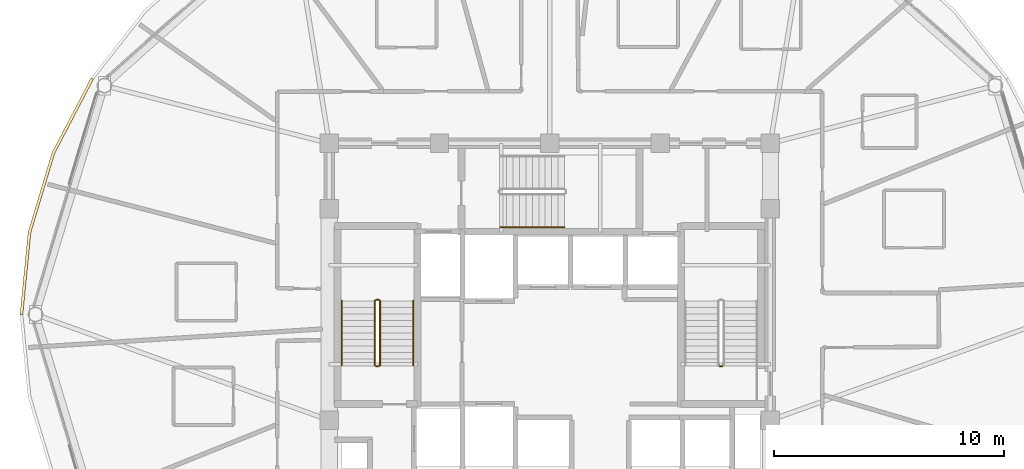
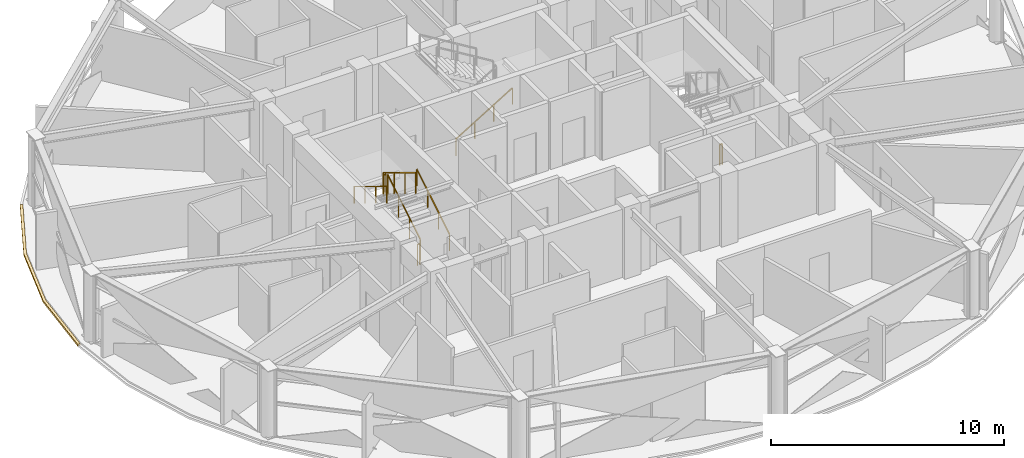
# One storey, part 28 of 30: 8 railings, 1 covering.
"""IFC4 building model written with IfcOpenShell, lengths in metres."""

import ifcopenshell
import ifcopenshell.guid

model = None  # the IFC model being written
_history = None  # IfcOwnerHistory: only IFC2X3 demands one
_inside = {}  # id of a spatial element -> (the spatial element, [elements in it])
_under = {}  # id of a project, library or spatial element -> (it, [spatial elements below it])
_declared = {}  # id of a project -> (the project, [libraries it declares])
_typed = {}  # id of a type object -> (the type object, [elements of that type])
_made_of = {}  # id of a material, layer set ... -> (it, [elements and type objects made of it])


def new_model(schema):
    """Start an empty IFC model of exactly this schema.

    Asked for "IFC4X3", IfcOpenShell would pick the latest addendum, in which some entities
    have other attributes; the version numbers below select the first issue.
    IFC2X3 requires an IfcOwnerHistory on every rooted entity: one is made here for all.
    """
    global model, _history
    if schema == "IFC4X3":
        model = ifcopenshell.file(schema_version=(4, 3, 0, 0))
    else:
        model = ifcopenshell.file(schema=schema)
    _inside.clear()
    _under.clear()
    _declared.clear()
    _typed.clear()
    _made_of.clear()
    _history = None
    if model.schema == "IFC2X3":
        org = make("IfcOrganization", Name="unknown")
        user = make(
            "IfcPersonAndOrganization",
            ThePerson=make("IfcPerson", FamilyName="unknown"),
            TheOrganization=org,
        )
        app = make(
            "IfcApplication",
            ApplicationDeveloper=org,
            Version="unknown",
            ApplicationFullName="unknown",
            ApplicationIdentifier="unknown",
        )
        _history = make(
            "IfcOwnerHistory",
            OwningUser=user,
            OwningApplication=app,
            ChangeAction="ADDED",
            CreationDate=0,
        )
    return model


def make(cls, **values):
    """One entity of the class cls with the attributes given. An attribute that is None is left unset."""
    return model.create_entity(
        cls, **{name: value for name, value in values.items() if value is not None}
    )


def rooted(cls, **values):
    """An entity with a GlobalId (a new one), such as an element, a storey or a relation."""
    return make(cls, GlobalId=ifcopenshell.guid.new(), OwnerHistory=_history, **values)


def si_unit(unit_type, name, prefix=None):
    """IfcSIUnit, for example si_unit("LENGTHUNIT", "METRE", prefix="MILLI")."""
    return make("IfcSIUnit", UnitType=unit_type, Prefix=prefix, Name=name)


def assignment(units):
    """IfcUnitAssignment: the units of a project."""
    return None if units is None else make("IfcUnitAssignment", Units=units)


def point(xyz):
    """IfcCartesianPoint."""
    return None if xyz is None else make("IfcCartesianPoint", Coordinates=xyz)


def direction(xyz):
    """IfcDirection."""
    return None if xyz is None else make("IfcDirection", DirectionRatios=xyz)


def frame(location, z_axis=None, x_axis=None):
    """IfcAxis2Placement3D, a coordinate frame: its origin and axes. An axis left out is left unset."""
    return make(
        "IfcAxis2Placement3D",
        Location=point(location),
        Axis=direction(z_axis),
        RefDirection=direction(x_axis),
    )


def frame_2d(location, x_axis=None):
    """IfcAxis2Placement2D, a coordinate frame in the plane: its origin and x axis."""
    return make(
        "IfcAxis2Placement2D", Location=point(location), RefDirection=direction(x_axis)
    )


def origin():
    """The frame at (0, 0, 0) with its axes left unset."""
    return frame((0.0, 0.0, 0.0))


def origin_2d():
    """The frame at (0, 0) in the plane with its x axis left unset."""
    return frame_2d((0.0, 0.0))


def place(relative_to, where):
    """IfcLocalPlacement: puts the frame where relative to a parent placement (None: the world)."""
    return make(
        "IfcLocalPlacement", PlacementRelTo=relative_to, RelativePlacement=where
    )


def context(
    kind, dimensions, precision=None, world=None, true_north=None, identifier=None
):
    """IfcGeometricRepresentationContext, for example the 3D "Model" context."""
    return make(
        "IfcGeometricRepresentationContext",
        ContextIdentifier=identifier,
        ContextType=kind,
        CoordinateSpaceDimension=dimensions,
        Precision=precision,
        WorldCoordinateSystem=world,
        TrueNorth=true_north,
    )


def subcontext(parent, identifier, kind, view, scale=None):
    """IfcGeometricRepresentationSubContext, for example "Body" below "Model"."""
    return make(
        "IfcGeometricRepresentationSubContext",
        ContextIdentifier=identifier,
        ContextType=kind,
        ParentContext=parent,
        TargetScale=scale,
        TargetView=view,
    )


def project(units=None, contexts=None):
    """IfcProject with its units and contexts."""
    return rooted(
        "IfcProject",
        Name="project",
        RepresentationContexts=contexts,
        UnitsInContext=assignment(units),
    )


def spatial(cls, under=None, at=None, **own):
    """A site, building, storey or space (cls), placed at a placement, below another one or the project."""
    s = rooted(cls, ObjectPlacement=at, **own)
    if under is not None:
        _under.setdefault(under.id(), (under, []))[1].append(s)
    return s


def polyline(points):
    """IfcPolyline through the points."""
    return make("IfcPolyline", Points=[point(p) for p in points])


def profile(cls, at=None, kind="AREA", **sizes):
    """A parametric profile (cls). Its sizes go by their IFC names, for example OverallWidth=200.0."""
    return make(cls, ProfileType=kind, Position=at, **sizes)


def rectangle(**sizes):
    """IfcRectangleProfileDef."""
    return profile("IfcRectangleProfileDef", **sizes)


def outline(outer, holes=None, kind="AREA"):
    """IfcArbitraryClosedProfileDef: a profile drawn as a closed curve; with holes, ...WithVoids."""
    if holes is None:
        return make("IfcArbitraryClosedProfileDef", ProfileType=kind, OuterCurve=outer)
    return make(
        "IfcArbitraryProfileDefWithVoids",
        ProfileType=kind,
        OuterCurve=outer,
        InnerCurves=holes,
    )


def extrude(swept, where, along, depth):
    """IfcExtrudedAreaSolid: the profile swept, set in the frame where, extruded along a direction by depth."""
    return make(
        "IfcExtrudedAreaSolid",
        SweptArea=swept,
        Position=where,
        ExtrudedDirection=direction(along),
        Depth=depth,
    )


def shape(context_of_items, identifier, shape_type, items):
    """IfcShapeRepresentation: the items that make up one representation, for example the "Body"."""
    return make(
        "IfcShapeRepresentation",
        ContextOfItems=context_of_items,
        RepresentationIdentifier=identifier,
        RepresentationType=shape_type,
        Items=items,
    )


def material(Name=None, Category=None):
    """IfcMaterial."""
    return make("IfcMaterial", Name=Name, Category=Category)


def layer(
    of_material, thickness, ventilated=None, Name=None, Category=None, Priority=None
):
    """IfcMaterialLayer: one layer of a wall or slab, of a material (None: an air gap)."""
    return make(
        "IfcMaterialLayer",
        Material=of_material,
        LayerThickness=thickness,
        IsVentilated=ventilated,
        Name=Name,
        Category=Category,
        Priority=Priority,
    )


def layer_set(layers, Name=None):
    """IfcMaterialLayerSet."""
    return make("IfcMaterialLayerSet", MaterialLayers=layers, LayerSetName=Name)


def made_of(thing, what):
    """Note that an element or type object is made of a material, layer set ...; save() writes the relation."""
    if what is not None:
        _made_of.setdefault(what.id(), (what, []))[1].append(thing)
    return thing


def type_object(cls, material=None, **own):
    """A type object (cls), such as IfcWallType, which elements share."""
    return made_of(rooted(cls, **own), material)


def element(
    cls,
    number,
    at=None,
    inside=None,
    cuts=None,
    type_object=None,
    material=None,
    context=None,
    identifier="Body",
    shape_type=None,
    held_by="IfcProductDefinitionShape",
    body=None,
    shapes=None,
    **own,
):
    """One element of the class cls, such as IfcWall. Its Tag is "e" and its number.

    at: its placement. inside: the storey or other place that contains it. cuts: it is an
    opening in that element (IfcRelVoidsElement). A single representation is given by context,
    identifier, shape_type and body (its items); several are given by shapes. held_by: the class
    of the entity that holds the representations. save() writes the other relations.
    """
    e = rooted(cls, Tag="e%d" % number, ObjectPlacement=at, **own)
    if body is not None:
        shapes = [shape(context, identifier, shape_type, body)]
    if shapes is not None:
        e.Representation = make(held_by, Representations=shapes)
    if inside is not None:
        _inside.setdefault(inside.id(), (inside, []))[1].append(e)
    if cuts is not None:
        rooted(
            "IfcRelVoidsElement", RelatingBuildingElement=cuts, RelatedOpeningElement=e
        )
    if type_object is not None:
        _typed.setdefault(type_object.id(), (type_object, []))[1].append(e)
    return made_of(e, material)


def aggregate(whole, parts):
    """IfcRelAggregates: a whole, such as a stair, and the parts it consists of."""
    return rooted("IfcRelAggregates", RelatingObject=whole, RelatedObjects=parts)


def save(model, path):
    """Write the relations noted so far, then the file.

    IfcRelAggregates (storeys below a building ...), IfcRelContainedInSpatialStructure (elements
    in a storey), IfcRelDefinesByType, IfcRelAssociatesMaterial and IfcRelDeclares: one each for
    every whole, place, type object, material and project.
    """
    for whole, parts in _under.values():
        aggregate(whole, parts)
    for where, things in _inside.values():
        rooted(
            "IfcRelContainedInSpatialStructure",
            RelatedElements=things,
            RelatingStructure=where,
        )
    for kind, things in _typed.values():
        rooted("IfcRelDefinesByType", RelatedObjects=things, RelatingType=kind)
    for what, things in _made_of.values():
        rooted("IfcRelAssociatesMaterial", RelatedObjects=things, RelatingMaterial=what)
    for by, libraries in _declared.values():
        rooted("IfcRelDeclares", RelatingContext=by, RelatedDefinitions=libraries)
    model.write(path)


model = new_model("IFC4")

# Units and contexts
model_context = context("Model", 3, precision=1e-05, world=origin(), true_north=direction((0.0, 1.0)))
body_context = subcontext(model_context, "Body", "Model", "MODEL_VIEW")
ifc_project = project(units=[si_unit("LENGTHUNIT", "METRE"), si_unit("AREAUNIT", "SQUARE_METRE"), si_unit("VOLUMEUNIT", "CUBIC_METRE"), si_unit("PLANEANGLEUNIT", "RADIAN"), si_unit("MASSUNIT", "GRAM", prefix="KILO")], contexts=[model_context])

# Site, building, storey
site_placement = place(None, origin())
site = spatial("IfcSite", under=ifc_project, at=site_placement, CompositionType="ELEMENT")
building_placement = place(site_placement, origin())
building = spatial("IfcBuilding", under=site, at=building_placement, Name="Vantalir Tower", CompositionType="ELEMENT")
storey_placement = place(building_placement, frame((0.0, 0.0, 201.14990234375)))
storey = spatial("IfcBuildingStorey", under=building, at=storey_placement, Name="L50", CompositionType="ELEMENT", Elevation=201.14990234375)

# Covering
ifc_material_1 = material(Name="Anodised champagne aluminium sill fascia", Category="aluminium")
ifc_layer = layer(ifc_material_1, 0.125)
ifc_layer_set = layer_set([ifc_layer], Name="Anodised champagne aluminium sill fascia")
covering_type = type_object("IfcCoveringType", Name="COV-SLAB-FASCIA-125", PredefinedType="CLADDING", material=ifc_layer_set)
covering_placement = place(storey_placement, frame((0.0, 0.0, -0.179931640625)))
element("IfcCovering", 1, at=covering_placement, inside=storey, type_object=covering_type, Name="L50 Perimeter Slab-Edge Sill Fascia 06", PredefinedType="CLADDING", context=body_context, shape_type="SweptSolid", body=[
    extrude(outline(polyline([(11.531982421875, 35.300048828125), (9.833984375, 32.0458984375), (8.79296875, 28.576904296875), (8.443115234375, 25.0), (8.568115234375, 25.0), (8.916015625, 28.554931640625), (9.950927734375, 32.0029296875), (11.639892578125, 35.237060546875), (11.531982421875, 35.300048828125)])), origin(), (0.0, 0.0, 1.0), 0.10498046875),
])

# Railings
ifc_material_2 = material(Name="Anodised aluminium and stainless steel guard", Category="steel")
railing_type_1 = type_object("IfcRailingType", Name="RAL-GUARD-1120", PredefinedType="GUARDRAIL", material=ifc_material_2)
railing_1_placement = place(storey_placement, frame((24.110107421875, 22.7900390625, 0.170654296875)))
element("IfcRailing", 2, at=railing_1_placement, inside=storey, type_object=railing_type_1, Name="L50 ST1 stair guard 1", PredefinedType="GUARDRAIL", context=body_context, shape_type="SweptSolid", body=[
    extrude(rectangle(XDim=0.048095703125, YDim=0.048095703125, at=origin_2d()), frame((0.0, 0.0, 1.09619140625), z_axis=(0.0, 0.854202870247, 0.519939858505), x_axis=(-1.0, 0.0, 0.0)), (0.0, 0.0, 1.0), 3.278076171875),
    extrude(rectangle(XDim=0.0419921875, YDim=0.0419921875, at=origin_2d()), origin(), (0.0, 0.0, 1.0), 1.072021484375),
    extrude(rectangle(XDim=0.0419921875, YDim=0.0419921875, at=origin_2d()), frame((0.0, 0.933349609375, 0.568115234375)), (0.0, 0.0, 1.0), 1.072021484375),
    extrude(rectangle(XDim=0.0419921875, YDim=0.0419921875, at=origin_2d()), frame((0.0, 1.86669921875, 1.13623046875)), (0.0, 0.0, 1.0), 1.072021484375),
    extrude(rectangle(XDim=0.0419921875, YDim=0.0419921875, at=origin_2d()), frame((0.0, 2.800048828125, 1.704345703125)), (0.0, 0.0, 1.0), 1.072021484375),
])
railing_2_placement = place(storey_placement, frame((24.06005859375, 25.639892578125, 1.875)))
element("IfcRailing", 3, at=railing_2_placement, inside=storey, type_object=railing_type_1, Name="L50 ST1 stair guard 2", PredefinedType="GUARDRAIL", context=body_context, shape_type="SweptSolid", body=[
    extrude(rectangle(XDim=0.048095703125, YDim=0.048095703125, at=origin_2d()), frame((0.0, 0.0, 1.09619140625), z_axis=(-1.0, 0.0, 0.0), x_axis=(0.0, -1.0, 0.0)), (0.0, 0.0, 1.0), 0.1201171875),
    extrude(rectangle(XDim=0.0419921875, YDim=0.0419921875, at=origin_2d()), origin(), (0.0, 0.0, 1.0), 1.072021484375),
    extrude(rectangle(XDim=0.0419921875, YDim=0.0419921875, at=origin_2d()), frame((-0.1201171875, 0.0, 0.0)), (0.0, 0.0, 1.0), 1.072021484375),
])
railing_3_placement = place(storey_placement, frame((23.889892578125, 25.590087890625, 2.045654296875)))
element("IfcRailing", 4, at=railing_3_placement, inside=storey, type_object=railing_type_1, Name="L50 ST1 stair guard 3", PredefinedType="GUARDRAIL", context=body_context, shape_type="SweptSolid", body=[
    extrude(rectangle(XDim=0.048095703125, YDim=0.048095703125, at=origin_2d()), frame((0.0, 0.0, 1.09619140625), z_axis=(0.0, -0.854202870247, 0.519939858505), x_axis=(1.0, 0.0, 0.0)), (0.0, 0.0, 1.0), 3.278076171875),
    extrude(rectangle(XDim=0.0419921875, YDim=0.0419921875, at=origin_2d()), origin(), (0.0, 0.0, 1.0), 1.072021484375),
    extrude(rectangle(XDim=0.0419921875, YDim=0.0419921875, at=origin_2d()), frame((0.0, -0.933349609375, 0.568115234375)), (0.0, 0.0, 1.0), 1.072021484375),
    extrude(rectangle(XDim=0.0419921875, YDim=0.0419921875, at=origin_2d()), frame((0.0, -1.86669921875, 1.13623046875)), (0.0, 0.0, 1.0), 1.072021484375),
    extrude(rectangle(XDim=0.0419921875, YDim=0.0419921875, at=origin_2d()), frame((0.0, -2.800048828125, 1.704345703125)), (0.0, 0.0, 1.0), 1.072021484375),
])
for number, where, name in (
    (5, (24.06005859375, 22.739990234375, 0.0), "L50 ST1 stair guard 4"),
    (6, (39.010009765625, 22.739990234375, 0.0), "L50 ST2 stair guard 4"),
):
    element("IfcRailing", number, at=place(storey_placement, frame(where)), inside=storey, type_object=railing_type_1, Name=name, PredefinedType="GUARDRAIL", context=body_context, shape_type="SweptSolid", body=[
        extrude(rectangle(XDim=0.048095703125, YDim=0.048095703125, at=origin_2d()), frame((0.0, 0.0, 1.09619140625), z_axis=(-1.0, 0.0, 0.0), x_axis=(0.0, -1.0, 0.0)), (0.0, 0.0, 1.0), 0.1201171875),
        extrude(rectangle(XDim=0.0419921875, YDim=0.0419921875, at=origin_2d()), origin(), (0.0, 0.0, 1.0), 1.072021484375),
        extrude(rectangle(XDim=0.0419921875, YDim=0.0419921875, at=origin_2d()), frame((-0.1201171875, 0.0, 0.0)), (0.0, 0.0, 1.0), 1.072021484375),
    ])
ifc_material_3 = material(Name="Brushed stainless steel tubular handrail", Category="steel")
railing_type_2 = type_object("IfcRailingType", Name="RAL-HANDRAIL-900", PredefinedType="HANDRAIL", material=ifc_material_3)
railing_4_placement = place(storey_placement, frame((25.550048828125, 22.7900390625, 0.170654296875)))
element("IfcRailing", 7, at=railing_4_placement, inside=storey, type_object=railing_type_2, Name="L50 ST1 stair handrail 1", PredefinedType="HANDRAIL", context=body_context, shape_type="SweptSolid", body=[
    extrude(rectangle(XDim=0.048095703125, YDim=0.048095703125, at=origin_2d()), frame((0.0, 0.0, 0.8759765625), z_axis=(0.0, 0.854202870247, 0.519939858505), x_axis=(-1.0, 0.0, 0.0)), (0.0, 0.0, 1.0), 3.278076171875),
    extrude(rectangle(XDim=0.0419921875, YDim=0.0419921875, at=origin_2d()), origin(), (0.0, 0.0, 1.0), 0.851806640625),
    extrude(rectangle(XDim=0.0419921875, YDim=0.0419921875, at=origin_2d()), frame((0.0, 0.933349609375, 0.568115234375)), (0.0, 0.0, 1.0), 0.851806640625),
    extrude(rectangle(XDim=0.0419921875, YDim=0.0419921875, at=origin_2d()), frame((0.0, 1.86669921875, 1.13623046875)), (0.0, 0.0, 1.0), 0.851806640625),
    extrude(rectangle(XDim=0.0419921875, YDim=0.0419921875, at=origin_2d()), frame((0.0, 2.800048828125, 1.704345703125)), (0.0, 0.0, 1.0), 0.851806640625),
])
railing_5_placement = place(storey_placement, frame((22.449951171875, 25.590087890625, 2.045654296875)))
element("IfcRailing", 8, at=railing_5_placement, inside=storey, type_object=railing_type_2, Name="L50 ST1 stair handrail 2", PredefinedType="HANDRAIL", context=body_context, shape_type="SweptSolid", body=[
    extrude(rectangle(XDim=0.048095703125, YDim=0.048095703125, at=origin_2d()), frame((0.0, 0.0, 0.8759765625), z_axis=(0.0, -0.854202870247, 0.519939858505), x_axis=(1.0, 0.0, 0.0)), (0.0, 0.0, 1.0), 3.278076171875),
    extrude(rectangle(XDim=0.0419921875, YDim=0.0419921875, at=origin_2d()), origin(), (0.0, 0.0, 1.0), 0.851806640625),
    extrude(rectangle(XDim=0.0419921875, YDim=0.0419921875, at=origin_2d()), frame((0.0, -0.933349609375, 0.568115234375)), (0.0, 0.0, 1.0), 0.851806640625),
    extrude(rectangle(XDim=0.0419921875, YDim=0.0419921875, at=origin_2d()), frame((0.0, -1.86669921875, 1.13623046875)), (0.0, 0.0, 1.0), 0.851806640625),
    extrude(rectangle(XDim=0.0419921875, YDim=0.0419921875, at=origin_2d()), frame((0.0, -2.800048828125, 1.704345703125)), (0.0, 0.0, 1.0), 0.851806640625),
])
railing_6_placement = place(storey_placement, frame((29.340087890625, 28.800048828125, 0.170654296875)))
element("IfcRailing", 9, at=railing_6_placement, inside=storey, type_object=railing_type_2, Name="L50 ST3 stair handrail 1", PredefinedType="HANDRAIL", context=body_context, shape_type="SweptSolid", body=[
    extrude(rectangle(XDim=0.048095703125, YDim=0.048095703125, at=origin_2d()), frame((0.0, 0.0, 0.8759765625), z_axis=(0.854182733786, 0.0, 0.519972939009), x_axis=(0.0, 1.0, 0.0)), (0.0, 0.0, 1.0), 3.27783203125),
    extrude(rectangle(XDim=0.0419921875, YDim=0.0419921875, at=origin_2d()), origin(), (0.0, 0.0, 1.0), 0.851806640625),
    extrude(rectangle(XDim=0.0419921875, YDim=0.0419921875, at=origin_2d()), frame((0.933349609375, 0.0, 0.568115234375)), (0.0, 0.0, 1.0), 0.851806640625),
    extrude(rectangle(XDim=0.0419921875, YDim=0.0419921875, at=origin_2d()), frame((1.866455078125, 0.0, 1.13623046875)), (0.0, 0.0, 1.0), 0.851806640625),
    extrude(rectangle(XDim=0.0419921875, YDim=0.0419921875, at=origin_2d()), frame((2.7998046875, 0.0, 1.704345703125)), (0.0, 0.0, 1.0), 0.851806640625),
])

save(model, "model.ifc")
